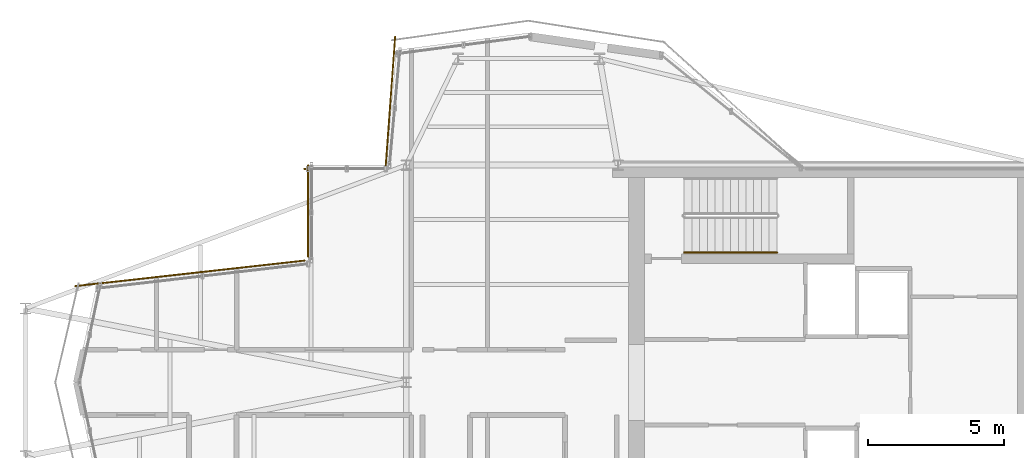
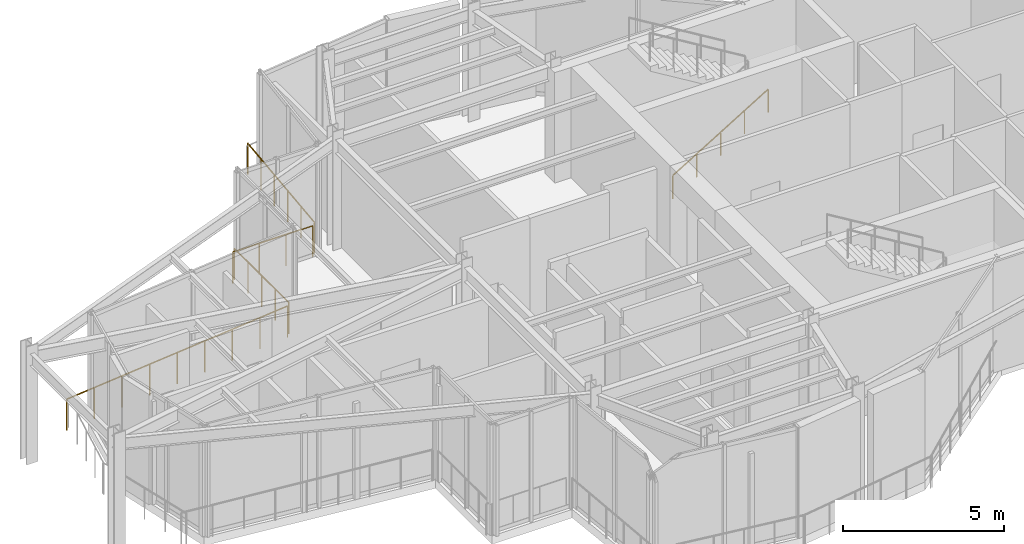
# One storey, part 12 of 14: 5 railings.
"""IFC4 building model written with IfcOpenShell, lengths in metres."""

from ifc_helpers import new_model, si_unit, direction, frame, origin, origin_2d, place, context, subcontext, project, spatial, circle, extrude, material, type_object, element, save


model = new_model("IFC4")

# Units and contexts
model_context = context("Model", 3, precision=1e-05, world=origin(), true_north=direction((0.0, 1.0)))
body_context = subcontext(model_context, "Body", "Model", "MODEL_VIEW")
ifc_project = project(units=[si_unit("LENGTHUNIT", "METRE"), si_unit("AREAUNIT", "SQUARE_METRE"), si_unit("VOLUMEUNIT", "CUBIC_METRE"), si_unit("PLANEANGLEUNIT", "RADIAN"), si_unit("MASSUNIT", "GRAM", prefix="KILO")], contexts=[model_context])

# Site, building, storey
site_placement = place(None, origin())
site = spatial("IfcSite", under=ifc_project, at=site_placement, CompositionType="ELEMENT")
building_placement = place(site_placement, origin())
building = spatial("IfcBuilding", under=site, at=building_placement, Name="Veymaron Broadcast Tower", CompositionType="ELEMENT")
storey_placement = place(building_placement, frame((0.0, 0.0, 332.39990234375)))
storey = spatial("IfcBuildingStorey", under=building, at=storey_placement, Name="L78", CompositionType="ELEMENT", Elevation=332.39990234375)

# Railings
ifc_material_1 = material(Name="Brushed stainless steel AISI 304", Category="steel")
railing_type_1 = type_object("IfcRailingType", Name="RAIL-STAIR-HR", PredefinedType="HANDRAIL", material=ifc_material_1)
railing_1_placement = place(storey_placement, frame((41.429931640625, 28.780029296875, 0.173095703125)))
element("IfcRailing", 1, at=railing_1_placement, inside=storey, type_object=railing_type_1, Name="L78 ST1 stair handrail 1", PredefinedType="HANDRAIL", context=body_context, shape_type="SweptSolid", body=[
    extrude(circle(Radius=0.02392578125, at=origin_2d()), frame((0.0, 0.0, 0.8759765625), z_axis=(0.854745945586, 0.0, 0.519046595696), x_axis=(0.0, 1.0, 0.0)), (0.0, 0.0, 1.0), 4.00146484375),
    extrude(circle(Radius=0.02099609375, at=origin_2d()), origin(), (0.0, 0.0, 1.0), 0.851806640625),
    extrude(circle(Radius=0.02099609375, at=origin_2d()), frame((0.85498046875, 0.0, 0.519287109375)), (0.0, 0.0, 1.0), 0.851806640625),
    extrude(circle(Radius=0.02099609375, at=origin_2d()), frame((1.7099609375, 0.0, 1.03857421875)), (0.0, 0.0, 1.0), 0.851806640625),
    extrude(circle(Radius=0.02099609375, at=origin_2d()), frame((2.565185546875, 0.0, 1.5576171875)), (0.0, 0.0, 1.0), 0.851806640625),
    extrude(circle(Radius=0.02099609375, at=origin_2d()), frame((3.420166015625, 0.0, 2.076904296875)), (0.0, 0.0, 1.0), 0.851806640625),
])
ifc_material_2 = material(Name="Laminated structural sentry-glass and stainless steel AISI 316L", Category="steel")
railing_type_2 = type_object("IfcRailingType", Name="RAIL-TERR-1200", PredefinedType="GUARDRAIL", material=ifc_material_2)
railing_2_placement = place(storey_placement, frame((30.79248046875, 36.725830078125, 0.0)))
element("IfcRailing", 2, at=railing_2_placement, inside=storey, type_object=railing_type_2, Name="L78 crown perimeter guardrail 8", PredefinedType="GUARDRAIL", context=body_context, shape_type="SweptSolid", body=[
    extrude(circle(Radius=0.02392578125, at=origin_2d()), frame((0.0, 0.0, 1.17578125), z_axis=(-0.072953187508, -0.997335366079, 0.0), x_axis=(0.997335366079, -0.072953187508, 0.0)), (0.0, 0.0, 1.0), 4.748779296875),
    extrude(circle(Radius=0.02099609375, at=origin_2d()), origin(), (0.0, 0.0, 1.0), 1.15185546875),
    extrude(circle(Radius=0.02099609375, at=origin_2d()), frame((-0.0693359375, -0.947265625, 0.0)), (0.0, 0.0, 1.0), 1.15185546875),
    extrude(circle(Radius=0.02099609375, at=origin_2d()), frame((-0.138671875, -1.89453125, 0.0)), (0.0, 0.0, 1.0), 1.15185546875),
    extrude(circle(Radius=0.02099609375, at=origin_2d()), frame((-0.207763671875, -2.841552734375, 0.0)), (0.0, 0.0, 1.0), 1.15185546875),
    extrude(circle(Radius=0.02099609375, at=origin_2d()), frame((-0.277099609375, -3.788818359375, 0.0)), (0.0, 0.0, 1.0), 1.15185546875),
    extrude(circle(Radius=0.02099609375, at=origin_2d()), frame((-0.346435546875, -4.736083984375, 0.0)), (0.0, 0.0, 1.0), 1.15185546875),
])
railing_3_placement = place(storey_placement, frame((30.306396484375, 31.860107421875, 0.0)))
element("IfcRailing", 3, at=railing_3_placement, inside=storey, type_object=railing_type_2, Name="L78 crown perimeter guardrail 9", PredefinedType="GUARDRAIL", context=body_context, shape_type="SweptSolid", body=[
    extrude(circle(Radius=0.02392578125, at=origin_2d()), frame((0.0, 0.0, 1.17578125), z_axis=(-1.0, 0.0, 0.0), x_axis=(0.0, -1.0, 0.0)), (0.0, 0.0, 1.0), 2.8583984375),
    extrude(circle(Radius=0.02099609375, at=origin_2d()), origin(), (0.0, 0.0, 1.0), 1.15185546875),
    extrude(circle(Radius=0.02099609375, at=origin_2d()), frame((-0.952880859375, 0.0, 0.0)), (0.0, 0.0, 1.0), 1.15185546875),
    extrude(circle(Radius=0.02099609375, at=origin_2d()), frame((-1.905517578125, 0.0, 0.0)), (0.0, 0.0, 1.0), 1.15185546875),
    extrude(circle(Radius=0.02099609375, at=origin_2d()), frame((-2.8583984375, 0.0, 0.0)), (0.0, 0.0, 1.0), 1.15185546875),
])
railing_4_placement = place(storey_placement, frame((27.587890625, 32.0, 0.0)))
element("IfcRailing", 4, at=railing_4_placement, inside=storey, type_object=railing_type_2, Name="L78 crown perimeter guardrail 10", PredefinedType="GUARDRAIL", context=body_context, shape_type="SweptSolid", body=[
    extrude(circle(Radius=0.02392578125, at=origin_2d()), frame((0.0, 0.0, 1.17578125), z_axis=(0.0, -1.0, 0.0), x_axis=(1.0, 0.0, 0.0)), (0.0, 0.0, 1.0), 3.37353515625),
    extrude(circle(Radius=0.02099609375, at=origin_2d()), origin(), (0.0, 0.0, 1.0), 1.15185546875),
    extrude(circle(Radius=0.02099609375, at=origin_2d()), frame((0.0, -0.84326171875, 0.0)), (0.0, 0.0, 1.0), 1.15185546875),
    extrude(circle(Radius=0.02099609375, at=origin_2d()), frame((0.0, -1.686767578125, 0.0)), (0.0, 0.0, 1.0), 1.15185546875),
    extrude(circle(Radius=0.02099609375, at=origin_2d()), frame((0.0, -2.5302734375, 0.0)), (0.0, 0.0, 1.0), 1.15185546875),
    extrude(circle(Radius=0.02099609375, at=origin_2d()), frame((0.0, -3.37353515625, 0.0)), (0.0, 0.0, 1.0), 1.15185546875),
])
railing_5_placement = place(storey_placement, frame((27.46337890625, 28.4873046875, 0.0)))
element("IfcRailing", 5, at=railing_5_placement, inside=storey, type_object=railing_type_2, Name="L78 crown perimeter guardrail 11", PredefinedType="GUARDRAIL", context=body_context, shape_type="SweptSolid", body=[
    extrude(circle(Radius=0.02392578125, at=origin_2d()), frame((0.0, 0.0, 1.17578125), z_axis=(-0.993854628338, -0.110693169309, 0.0), x_axis=(0.110693169309, -0.993854628338, 0.0)), (0.0, 0.0, 1.0), 8.500244140625),
    extrude(circle(Radius=0.02099609375, at=origin_2d()), origin(), (0.0, 0.0, 1.0), 1.15185546875),
    extrude(circle(Radius=0.02099609375, at=origin_2d()), frame((-1.055908203125, -0.11767578125, 0.0)), (0.0, 0.0, 1.0), 1.15185546875),
    extrude(circle(Radius=0.02099609375, at=origin_2d()), frame((-2.112060546875, -0.2353515625, 0.0)), (0.0, 0.0, 1.0), 1.15185546875),
    extrude(circle(Radius=0.02099609375, at=origin_2d()), frame((-3.16796875, -0.352783203125, 0.0)), (0.0, 0.0, 1.0), 1.15185546875),
    extrude(circle(Radius=0.02099609375, at=origin_2d()), frame((-4.22412109375, -0.470458984375, 0.0)), (0.0, 0.0, 1.0), 1.15185546875),
    extrude(circle(Radius=0.02099609375, at=origin_2d()), frame((-5.280029296875, -0.588134765625, 0.0)), (0.0, 0.0, 1.0), 1.15185546875),
    extrude(circle(Radius=0.02099609375, at=origin_2d()), frame((-6.3359375, -0.70556640625, 0.0)), (0.0, 0.0, 1.0), 1.15185546875),
    extrude(circle(Radius=0.02099609375, at=origin_2d()), frame((-7.39208984375, -0.8232421875, 0.0)), (0.0, 0.0, 1.0), 1.15185546875),
    extrude(circle(Radius=0.02099609375, at=origin_2d()), frame((-8.447998046875, -0.94091796875, 0.0)), (0.0, 0.0, 1.0), 1.15185546875),
])

save(model, "model.ifc")
